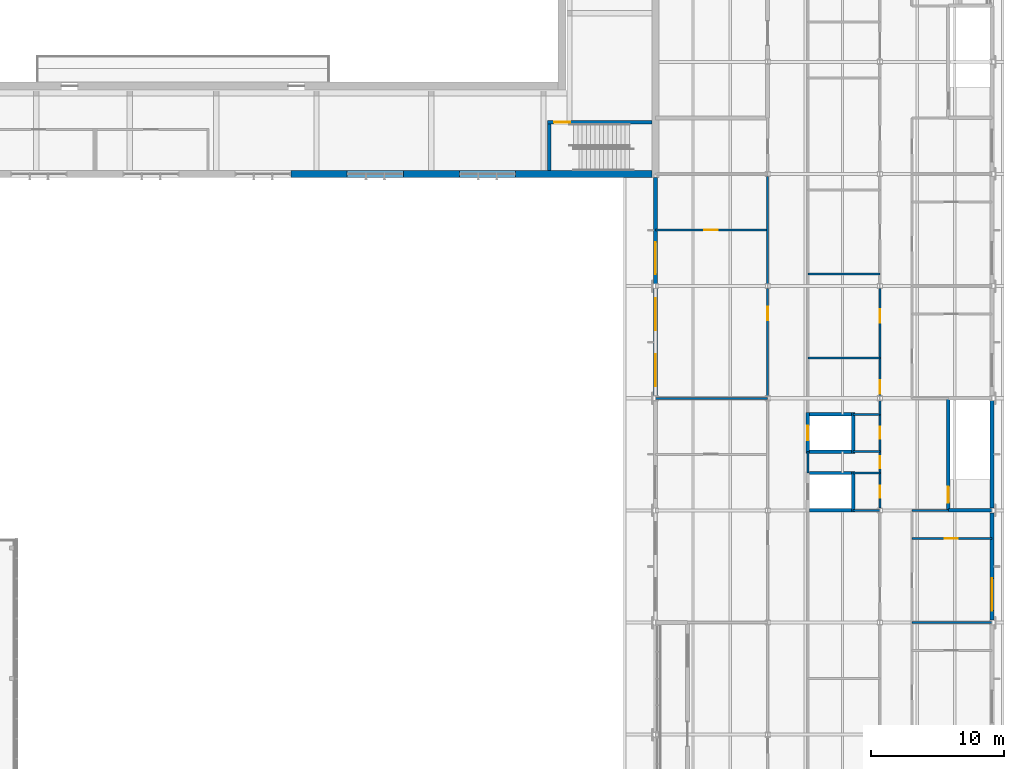
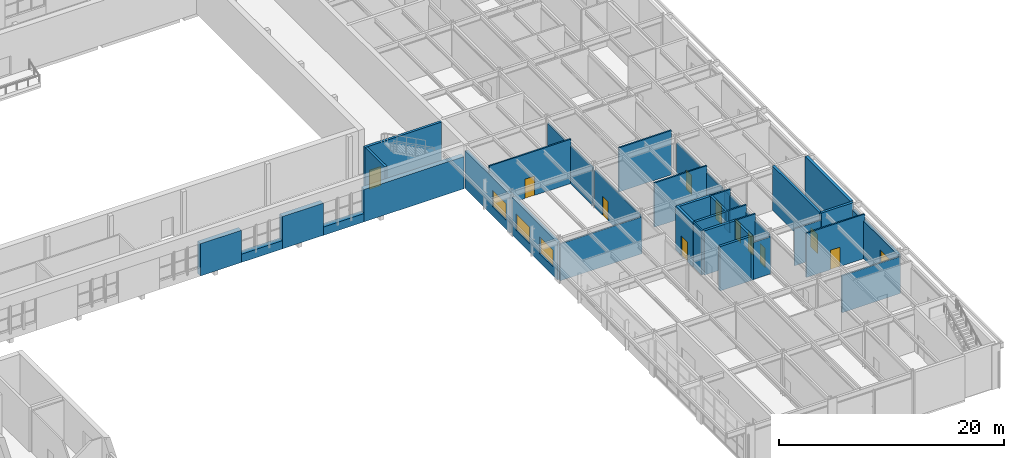
# One storey, part 73 of 116: 37 walls, 11 doors, 4 windows, 15 openings.
"""IFC4 building model written with IfcOpenShell, lengths in metres."""

from ifc_helpers import new_model, si_unit, direction, frame, frame_2d, origin, place, context, subcontext, project, spatial, rectangle, extrude, material, layer, layer_set, type_object, element, fill, save


model = new_model("IFC4")

# Units and contexts
model_context = context("Model", 3, precision=1e-05, world=origin(), true_north=direction((0.0, 1.0)))
body_context = subcontext(model_context, "Body", "Model", "MODEL_VIEW")
ifc_project = project(units=[si_unit("LENGTHUNIT", "METRE"), si_unit("AREAUNIT", "SQUARE_METRE"), si_unit("VOLUMEUNIT", "CUBIC_METRE"), si_unit("PLANEANGLEUNIT", "RADIAN"), si_unit("MASSUNIT", "GRAM", prefix="KILO")], contexts=[model_context])

# Site, building, storey
site_placement = place(None, origin())
site = spatial("IfcSite", under=ifc_project, at=site_placement, CompositionType="ELEMENT")
building_placement = place(site_placement, origin())
building = spatial("IfcBuilding", under=site, at=building_placement, Name="Ljudholm Concert House", CompositionType="ELEMENT")
storey_placement = place(building_placement, frame((0.0, 0.0, 10.199951171875)))
storey = spatial("IfcBuildingStorey", under=building, at=storey_placement, Name="L02", CompositionType="ELEMENT", Elevation=10.199951171875)

# Wall, opening, door
ifc_material_1 = material(Name="Gypsum board on steel studs", Category="steel")
ifc_layer_1 = layer(ifc_material_1, 0.14990234375)
ifc_layer_set_1 = layer_set([ifc_layer_1], Name="Gypsum board on steel studs")
wall_type_1 = type_object("IfcWallType", Name="GYPSUM PARTITION 150", PredefinedType="PARTITIONING", material=ifc_layer_set_1)
wall_1_placement = place(storey_placement, frame((104.800048828125, 37.77783203125, 0.0), z_axis=(0.0, 0.0, 1.0), x_axis=(0.0, 1.0, 0.0)))
wall_1 = element("IfcWall", 1, at=wall_1_placement, inside=storey, type_object=wall_type_1, Name="Partition", PredefinedType="PARTITIONING", context=body_context, shape_type="SweptSolid", body=[
    extrude(rectangle(XDim=8.04443359375, YDim=0.14990234375, at=frame_2d((4.022216796875, 0.0))), origin(), (0.0, 0.0, 1.0), 4.086669921875),
])
opening_1_placement = place(wall_1_placement, frame((5.672119140625, 0.0, 0.0)))
opening_1 = element("IfcOpeningElement", 2, at=opening_1_placement, cuts=wall_1, Name="Opening D-W02-013", PredefinedType="OPENING", context=body_context, shape_type="SweptSolid", body=[
    extrude(rectangle(XDim=1.0, YDim=2.10009765625, at=frame_2d((0.5, 1.050048828125))), frame((0.0, 0.0849609375, 0.0), z_axis=(0.0, -1.0, 0.0), x_axis=(1.0, 0.0, 0.0)), (0.0, 0.0, 1.0), 0.169921875),
])
ifc_material_2 = material(Name="Hollow metal door in steel frame", Category="steel")
door_type_1 = type_object("IfcDoorType", Name="SWING DOOR 1000x2100", OperationType="SINGLE_SWING_LEFT", PredefinedType="DOOR", material=ifc_material_2)
door_1_placement = place(opening_1_placement, origin())
door_1 = element("IfcDoor", 3, at=door_1_placement, inside=storey, type_object=door_type_1, Name="Door", OperationType="SINGLE_SWING_LEFT", OverallHeight=2.10009765625, OverallWidth=1.0, PredefinedType="DOOR", context=body_context, shape_type="SweptSolid", body=[
    extrude(rectangle(XDim=1.0, YDim=2.10009765625, at=frame_2d((0.5, 1.050048828125))), frame((0.0, 0.02490234375, 0.0), z_axis=(0.0, -1.0, 0.0), x_axis=(1.0, 0.0, 0.0)), (0.0, 0.0, 1.0), 0.050048828125),
])
fill(opening_1, door_1)

# Walls
wall_2_placement = place(storey_placement, frame((104.800048828125, 46.177734375, 0.0), z_axis=(0.0, 0.0, 1.0), x_axis=(0.0, 1.0, 0.0)))
element("IfcWall", 4, at=wall_2_placement, inside=storey, type_object=wall_type_1, Name="Partition", PredefinedType="PARTITIONING", context=body_context, shape_type="SweptSolid", body=[
    extrude(rectangle(XDim=8.04443359375, YDim=0.14990234375, at=frame_2d((4.022216796875, 0.0))), origin(), (0.0, 0.0, 1.0), 4.086669921875),
])
wall_3_placement = place(storey_placement, frame((107.800048828125, 32.0, 0.0), z_axis=(0.0, 0.0, 1.0), x_axis=(0.0, 1.0, 0.0)))
element("IfcWall", 5, at=wall_3_placement, inside=storey, type_object=wall_type_1, Name="Partition", PredefinedType="PARTITIONING", context=body_context, shape_type="SweptSolid", body=[
    extrude(rectangle(XDim=1.60009765625, YDim=0.14990234375, at=frame_2d((0.800048828125, 0.0))), origin(), (0.0, 0.0, 1.0), 4.800048828125),
])
wall_4_placement = place(storey_placement, frame((113.199951171875, 36.39990234375, 0.0), z_axis=(0.0, 0.0, 1.0), x_axis=(0.0, 1.0, 0.0)))
element("IfcWall", 6, at=wall_4_placement, inside=storey, type_object=wall_type_1, Name="Partition", PredefinedType="PARTITIONING", context=body_context, shape_type="SweptSolid", body=[
    extrude(rectangle(XDim=1.022216796875, YDim=0.14990234375, at=frame_2d((0.51123046875, 0.0))), origin(), (0.0, 0.0, 1.0), 4.086669921875),
])

# Wall, openings, doors
wall_5_placement = place(storey_placement, frame((113.199951171875, 37.77783203125, 0.0), z_axis=(0.0, 0.0, 1.0), x_axis=(0.0, 1.0, 0.0)))
wall_5 = element("IfcWall", 7, at=wall_5_placement, inside=storey, type_object=wall_type_1, Name="Partition", PredefinedType="PARTITIONING", context=body_context, shape_type="SweptSolid", body=[
    extrude(rectangle(XDim=8.04443359375, YDim=0.14990234375, at=frame_2d((4.022216796875, 0.0))), origin(), (0.0, 0.0, 1.0), 4.086669921875),
])
opening_2_placement = place(wall_5_placement, frame((0.172119140625, 0.0, 0.0)))
opening_2 = element("IfcOpeningElement", 8, at=opening_2_placement, cuts=wall_5, Name="Opening D-W02-025", PredefinedType="OPENING", context=body_context, shape_type="SweptSolid", body=[
    extrude(rectangle(XDim=1.0, YDim=2.10009765625, at=frame_2d((0.5, 1.050048828125))), frame((0.0, 0.0849609375, 0.0), z_axis=(0.0, -1.0, 0.0), x_axis=(1.0, 0.0, 0.0)), (0.0, 0.0, 1.0), 0.169921875),
])
opening_3_placement = place(wall_5_placement, frame((5.47216796875, 0.0, 0.0)))
opening_3 = element("IfcOpeningElement", 9, at=opening_3_placement, cuts=wall_5, Name="Opening D-W02-026", PredefinedType="OPENING", context=body_context, shape_type="SweptSolid", body=[
    extrude(rectangle(XDim=1.0, YDim=2.10009765625, at=frame_2d((0.5, 1.050048828125))), frame((0.0, 0.0849609375, 0.0), z_axis=(0.0, -1.0, 0.0), x_axis=(1.0, 0.0, 0.0)), (0.0, 0.0, 1.0), 0.169921875),
])
door_2_placement = place(opening_2_placement, origin())
door_2 = element("IfcDoor", 10, at=door_2_placement, inside=storey, type_object=door_type_1, Name="Door", OperationType="SINGLE_SWING_LEFT", OverallHeight=2.10009765625, OverallWidth=1.0, PredefinedType="DOOR", context=body_context, shape_type="SweptSolid", body=[
    extrude(rectangle(XDim=1.0, YDim=2.10009765625, at=frame_2d((0.5, 1.050048828125))), frame((0.0, 0.02490234375, 0.0), z_axis=(0.0, -1.0, 0.0), x_axis=(1.0, 0.0, 0.0)), (0.0, 0.0, 1.0), 0.050048828125),
])
fill(opening_2, door_2)
door_3_placement = place(opening_3_placement, origin())
door_3 = element("IfcDoor", 11, at=door_3_placement, inside=storey, type_object=door_type_1, Name="Door", OperationType="SINGLE_SWING_RIGHT", OverallHeight=2.10009765625, OverallWidth=1.0, PredefinedType="DOOR", context=body_context, shape_type="SweptSolid", body=[
    extrude(rectangle(XDim=1.0, YDim=2.10009765625, at=frame_2d((0.5, 1.050048828125))), frame((0.0, 0.02490234375, 0.0), z_axis=(0.0, -1.0, 0.0), x_axis=(1.0, 0.0, 0.0)), (0.0, 0.0, 1.0), 0.050048828125),
])
fill(opening_3, door_3)

wall_6_placement = place(storey_placement, frame((113.199951171875, 29.377685546875, 0.0), z_axis=(0.0, 0.0, 1.0), x_axis=(0.0, 1.0, 0.0)))
wall_6 = element("IfcWall", 12, at=wall_6_placement, inside=storey, type_object=wall_type_1, Name="Partition", PredefinedType="PARTITIONING", context=body_context, shape_type="SweptSolid", body=[
    extrude(rectangle(XDim=7.022216796875, YDim=0.14990234375, at=frame_2d((3.51123046875, 0.0))), origin(), (0.0, 0.0, 1.0), 4.086669921875),
])
opening_4_placement = place(wall_6_placement, frame((0.772216796875, 0.0, 0.0)))
opening_4 = element("IfcOpeningElement", 13, at=opening_4_placement, cuts=wall_6, Name="Opening D-W02-007", PredefinedType="OPENING", context=body_context, shape_type="SweptSolid", body=[
    extrude(rectangle(XDim=0.89990234375, YDim=2.10009765625, at=frame_2d((0.449951171875, 1.050048828125))), frame((0.0, 0.0849609375, 0.0), z_axis=(0.0, -1.0, 0.0), x_axis=(1.0, 0.0, 0.0)), (0.0, 0.0, 1.0), 0.169921875),
])
opening_5_placement = place(wall_6_placement, frame((2.97216796875, 0.0, 0.0)))
opening_5 = element("IfcOpeningElement", 14, at=opening_5_placement, cuts=wall_6, Name="Opening D-W02-008", PredefinedType="OPENING", context=body_context, shape_type="SweptSolid", body=[
    extrude(rectangle(XDim=0.89990234375, YDim=2.10009765625, at=frame_2d((0.449951171875, 1.050048828125))), frame((0.0, 0.0849609375, 0.0), z_axis=(0.0, -1.0, 0.0), x_axis=(1.0, 0.0, 0.0)), (0.0, 0.0, 1.0), 0.169921875),
])
opening_6_placement = place(wall_6_placement, frame((5.172119140625, 0.0, 0.0)))
opening_6 = element("IfcOpeningElement", 15, at=opening_6_placement, cuts=wall_6, Name="Opening D-W02-009", PredefinedType="OPENING", context=body_context, shape_type="SweptSolid", body=[
    extrude(rectangle(XDim=0.89990234375, YDim=2.10009765625, at=frame_2d((0.449951171875, 1.050048828125))), frame((0.0, 0.0849609375, 0.0), z_axis=(0.0, -1.0, 0.0), x_axis=(1.0, 0.0, 0.0)), (0.0, 0.0, 1.0), 0.169921875),
])
ifc_material_3 = material(Name="Hollow metal door in steel frame", Category="steel")
door_type_2 = type_object("IfcDoorType", Name="SWING DOOR 900x2100", OperationType="SINGLE_SWING_LEFT", PredefinedType="DOOR", material=ifc_material_3)
door_4_placement = place(opening_4_placement, origin())
door_4 = element("IfcDoor", 16, at=door_4_placement, inside=storey, type_object=door_type_2, Name="Door", OperationType="SINGLE_SWING_RIGHT", OverallHeight=2.10009765625, OverallWidth=0.89990234375, PredefinedType="DOOR", context=body_context, shape_type="SweptSolid", body=[
    extrude(rectangle(XDim=0.89990234375, YDim=2.10009765625, at=frame_2d((0.449951171875, 1.050048828125))), frame((0.0, 0.02490234375, 0.0), z_axis=(0.0, -1.0, 0.0), x_axis=(1.0, 0.0, 0.0)), (0.0, 0.0, 1.0), 0.050048828125),
])
fill(opening_4, door_4)
door_5_placement = place(opening_5_placement, origin())
door_5 = element("IfcDoor", 17, at=door_5_placement, inside=storey, type_object=door_type_2, Name="Door", OperationType="SINGLE_SWING_LEFT", OverallHeight=2.10009765625, OverallWidth=0.89990234375, PredefinedType="DOOR", context=body_context, shape_type="SweptSolid", body=[
    extrude(rectangle(XDim=0.89990234375, YDim=2.10009765625, at=frame_2d((0.449951171875, 1.050048828125))), frame((0.0, 0.02490234375, 0.0), z_axis=(0.0, -1.0, 0.0), x_axis=(1.0, 0.0, 0.0)), (0.0, 0.0, 1.0), 0.050048828125),
])
fill(opening_5, door_5)
door_6_placement = place(opening_6_placement, origin())
door_6 = element("IfcDoor", 18, at=door_6_placement, inside=storey, type_object=door_type_2, Name="Door", OperationType="SINGLE_SWING_RIGHT", OverallHeight=2.10009765625, OverallWidth=0.89990234375, PredefinedType="DOOR", context=body_context, shape_type="SweptSolid", body=[
    extrude(rectangle(XDim=0.89990234375, YDim=2.10009765625, at=frame_2d((0.449951171875, 1.050048828125))), frame((0.0, 0.02490234375, 0.0), z_axis=(0.0, -1.0, 0.0), x_axis=(1.0, 0.0, 0.0)), (0.0, 0.0, 1.0), 0.050048828125),
])
fill(opening_6, door_6)

# Wall
wall_7_placement = place(storey_placement, frame((115.60009765625, 20.800048828125, 0.0), z_axis=(0.0, 0.0, 1.0), x_axis=(1.0, 0.0, 0.0)))
element("IfcWall", 19, at=wall_7_placement, inside=storey, type_object=wall_type_1, Name="Partition", PredefinedType="PARTITIONING", context=body_context, shape_type="SweptSolid", body=[
    extrude(rectangle(XDim=5.994384765625, YDim=0.14990234375, at=frame_2d((2.9970703125, 0.0))), origin(), (0.0, 0.0, 1.0), 4.008056640625),
])

# Wall, opening, door
wall_8_placement = place(storey_placement, frame((115.60009765625, 27.10009765625, 0.0), z_axis=(0.0, 0.0, 1.0), x_axis=(1.0, 0.0, 0.0)))
wall_8 = element("IfcWall", 20, at=wall_8_placement, inside=storey, type_object=wall_type_1, Name="Partition", PredefinedType="PARTITIONING", context=body_context, shape_type="SweptSolid", body=[
    extrude(rectangle(XDim=6.0, YDim=0.14990234375, at=frame_2d((3.0, 0.0))), origin(), (0.0, 0.0, 1.0), 4.800048828125),
])
opening_7_placement = place(wall_8_placement, frame((2.449951171875, 0.0, 0.0)))
opening_7 = element("IfcOpeningElement", 21, at=opening_7_placement, cuts=wall_8, Name="Opening D-W02-037", PredefinedType="OPENING", context=body_context, shape_type="SweptSolid", body=[
    extrude(rectangle(XDim=1.0, YDim=2.10009765625, at=frame_2d((0.5, 1.050048828125))), frame((0.0, 0.0849609375, 0.0), z_axis=(0.0, -1.0, 0.0), x_axis=(1.0, 0.0, 0.0)), (0.0, 0.0, 1.0), 0.169921875),
])
door_7_placement = place(opening_7_placement, origin())
door_7 = element("IfcDoor", 22, at=door_7_placement, inside=storey, type_object=door_type_1, Name="Door", OperationType="SINGLE_SWING_RIGHT", OverallHeight=2.10009765625, OverallWidth=1.0, PredefinedType="DOOR", context=body_context, shape_type="SweptSolid", body=[
    extrude(rectangle(XDim=1.0, YDim=2.10009765625, at=frame_2d((0.5, 1.050048828125))), frame((0.0, 0.02490234375, 0.0), z_axis=(0.0, -1.0, 0.0), x_axis=(1.0, 0.0, 0.0)), (0.0, 0.0, 1.0), 0.050048828125),
])
fill(opening_7, door_7)

# Walls
wall_9_placement = place(storey_placement, frame((115.60009765625, 29.199951171875, 0.0), z_axis=(0.0, 0.0, 1.0), x_axis=(1.0, 0.0, 0.0)))
element("IfcWall", 23, at=wall_9_placement, inside=storey, type_object=wall_type_1, Name="Partition", PredefinedType="PARTITIONING", context=body_context, shape_type="SweptSolid", body=[
    extrude(rectangle(XDim=2.724853515625, YDim=0.14990234375, at=frame_2d((1.3623046875, 0.0))), origin(), (0.0, 0.0, 1.0), 4.008056640625),
])
wall_10_placement = place(storey_placement, frame((111.199951171875, 29.199951171875, 0.0), z_axis=(0.0, 0.0, 1.0), x_axis=(1.0, 0.0, 0.0)))
element("IfcWall", 24, at=wall_10_placement, inside=storey, type_object=wall_type_1, Name="Partition", PredefinedType="PARTITIONING", context=body_context, shape_type="SweptSolid", body=[
    extrude(rectangle(XDim=1.994384765625, YDim=0.14990234375, at=frame_2d((0.9970703125, 0.0))), origin(), (0.0, 0.0, 1.0), 4.008056640625),
])
for number, where, z_axis, x_axis, name in (
    (25, (111.199951171875, 32.0, 0.0), (0.0, 0.0, 1.0), (1.0, 0.0, 0.0), "Partition"),
    (26, (111.199951171875, 33.60009765625, 0.0), (0.0, 0.0, 1.0), (1.0, 0.0, 0.0), "Partition"),
    (27, (111.199951171875, 36.39990234375, 0.0), (0.0, 0.0, 1.0), (1.0, 0.0, 0.0), "Partition"),
):
    element("IfcWall", number, at=place(storey_placement, frame(where, z_axis=z_axis, x_axis=x_axis)), inside=storey, type_object=wall_type_1, Name=name, PredefinedType="PARTITIONING", context=body_context, shape_type="SweptSolid", body=[
        extrude(rectangle(XDim=2.0, YDim=0.14990234375, at=frame_2d((1.0, 0.0))), origin(), (0.0, 0.0, 1.0), 4.800048828125),
    ])
wall_11_placement = place(storey_placement, frame((96.405517578125, 37.60009765625, 0.0), z_axis=(0.0, 0.0, 1.0), x_axis=(1.0, 0.0, 0.0)))
element("IfcWall", 28, at=wall_11_placement, inside=storey, type_object=wall_type_1, Name="Partition", PredefinedType="PARTITIONING", context=body_context, shape_type="SweptSolid", body=[
    extrude(rectangle(XDim=8.388916015625, YDim=0.14990234375, at=frame_2d((4.1943359375, 0.0))), origin(), (0.0, 0.0, 1.0), 4.008056640625),
])
for number, where, z_axis, x_axis, name in (
    (29, (107.800048828125, 40.60009765625, 0.0), (0.0, 0.0, 1.0), (1.0, 0.0, 0.0), "Partition"),
    (30, (107.800048828125, 46.89990234375, 0.0), (0.0, 0.0, 1.0), (1.0, 0.0, 0.0), "Partition"),
):
    element("IfcWall", number, at=place(storey_placement, frame(where, z_axis=z_axis, x_axis=x_axis)), inside=storey, type_object=wall_type_1, Name=name, PredefinedType="PARTITIONING", context=body_context, shape_type="SweptSolid", body=[
        extrude(rectangle(XDim=5.39990234375, YDim=0.14990234375, at=frame_2d((2.699951171875, 0.0))), origin(), (0.0, 0.0, 1.0), 4.800048828125),
    ])

# Wall, opening, door
wall_12_placement = place(storey_placement, frame((96.39990234375, 50.199951171875, 0.0), z_axis=(0.0, 0.0, 1.0), x_axis=(1.0, 0.0, 0.0)))
wall_12 = element("IfcWall", 31, at=wall_12_placement, inside=storey, type_object=wall_type_1, Name="Partition", PredefinedType="PARTITIONING", context=body_context, shape_type="SweptSolid", body=[
    extrude(rectangle(XDim=8.400146484375, YDim=0.14990234375, at=frame_2d((4.2001953125, 0.0))), origin(), (0.0, 0.0, 1.0), 4.800048828125),
])
opening_8_placement = place(wall_12_placement, frame((3.64990234375, 0.0, 0.0)))
opening_8 = element("IfcOpeningElement", 32, at=opening_8_placement, cuts=wall_12, Name="Opening D-W02-014", PredefinedType="OPENING", context=body_context, shape_type="SweptSolid", body=[
    extrude(rectangle(XDim=1.0, YDim=2.10009765625, at=frame_2d((0.5, 1.050048828125))), frame((0.0, 0.0849609375, 0.0), z_axis=(0.0, -1.0, 0.0), x_axis=(1.0, 0.0, 0.0)), (0.0, 0.0, 1.0), 0.169921875),
])
door_8_placement = place(opening_8_placement, origin())
door_8 = element("IfcDoor", 33, at=door_8_placement, inside=storey, type_object=door_type_1, Name="Door", OperationType="SINGLE_SWING_LEFT", OverallHeight=2.10009765625, OverallWidth=1.0, PredefinedType="DOOR", context=body_context, shape_type="SweptSolid", body=[
    extrude(rectangle(XDim=1.0, YDim=2.10009765625, at=frame_2d((0.5, 1.050048828125))), frame((0.0, 0.02490234375, 0.0), z_axis=(0.0, -1.0, 0.0), x_axis=(1.0, 0.0, 0.0)), (0.0, 0.0, 1.0), 0.050048828125),
])
fill(opening_8, door_8)

# Wall, openings, windows
ifc_material_4 = material(Name="Precast concrete 5,000 psi", Category="concrete")
ifc_layer_2 = layer(ifc_material_4, 0.300048828125)
ifc_layer_set_2 = layer_set([ifc_layer_2], Name="Precast concrete 5,000 psi")
wall_type_2 = type_object("IfcWallType", Name="PRECAST PANEL WALL 300", PredefinedType="SOLIDWALL", material=ifc_layer_set_2)
wall_13_placement = place(storey_placement, frame((96.39990234375, 37.77783203125, 0.0), z_axis=(0.0, 0.0, 1.0), x_axis=(0.0, 1.0, 0.0)))
wall_13 = element("IfcWall", 34, at=wall_13_placement, inside=storey, type_object=wall_type_2, Name="Facade wall", PredefinedType="SOLIDWALL", context=body_context, shape_type="SweptSolid", body=[
    extrude(rectangle(XDim=8.04443359375, YDim=0.300048828125, at=frame_2d((4.022216796875, 0.0))), origin(), (0.0, 0.0, 1.0), 4.086669921875),
])
opening_9_placement = place(wall_13_placement, frame((0.72216796875, 0.0, 0.949951171875)))
opening_9 = element("IfcOpeningElement", 35, at=opening_9_placement, cuts=wall_13, Name="Opening X-W02-005", PredefinedType="OPENING", context=body_context, shape_type="SweptSolid", body=[
    extrude(rectangle(XDim=2.39990234375, YDim=1.800048828125, at=frame_2d((1.199951171875, 0.89990234375))), frame((0.0, 0.159912109375, 0.0), z_axis=(0.0, -1.0, 0.0), x_axis=(1.0, 0.0, 0.0)), (0.0, 0.0, 1.0), 0.320068359375),
])
opening_10_placement = place(wall_13_placement, frame((4.922119140625, 0.0, 0.949951171875)))
opening_10 = element("IfcOpeningElement", 36, at=opening_10_placement, cuts=wall_13, Name="Opening X-W02-006", PredefinedType="OPENING", context=body_context, shape_type="SweptSolid", body=[
    extrude(rectangle(XDim=2.39990234375, YDim=1.800048828125, at=frame_2d((1.199951171875, 0.89990234375))), frame((0.0, 0.159912109375, 0.0), z_axis=(0.0, -1.0, 0.0), x_axis=(1.0, 0.0, 0.0)), (0.0, 0.0, 1.0), 0.320068359375),
])
ifc_material_5 = material(Name="Aluminium frame, impact glazing", Category="aluminium")
window_type = type_object("IfcWindowType", Name="CASEMENT WINDOW 2400x1800", PartitioningType="DOUBLE_PANEL_VERTICAL", PredefinedType="WINDOW", material=ifc_material_5)
window_1_placement = place(opening_9_placement, origin())
window_1 = element("IfcWindow", 37, at=window_1_placement, inside=storey, type_object=window_type, Name="Window", OverallHeight=1.800048828125, OverallWidth=2.39990234375, PartitioningType="DOUBLE_PANEL_VERTICAL", PredefinedType="WINDOW", context=body_context, shape_type="SweptSolid", body=[
    extrude(rectangle(XDim=2.39990234375, YDim=1.800048828125, at=frame_2d((1.199951171875, 0.89990234375))), frame((0.0, 0.030029296875, 0.0), z_axis=(0.0, -1.0, 0.0), x_axis=(1.0, 0.0, 0.0)), (0.0, 0.0, 1.0), 0.06005859375),
])
fill(opening_9, window_1)
window_2_placement = place(opening_10_placement, origin())
window_2 = element("IfcWindow", 38, at=window_2_placement, inside=storey, type_object=window_type, Name="Window", OverallHeight=1.800048828125, OverallWidth=2.39990234375, PartitioningType="DOUBLE_PANEL_VERTICAL", PredefinedType="WINDOW", context=body_context, shape_type="SweptSolid", body=[
    extrude(rectangle(XDim=2.39990234375, YDim=1.800048828125, at=frame_2d((1.199951171875, 0.89990234375))), frame((0.0, 0.030029296875, 0.0), z_axis=(0.0, -1.0, 0.0), x_axis=(1.0, 0.0, 0.0)), (0.0, 0.0, 1.0), 0.06005859375),
])
fill(opening_10, window_2)

# Wall, opening, window
wall_14_placement = place(storey_placement, frame((96.39990234375, 46.177734375, 0.0), z_axis=(0.0, 0.0, 1.0), x_axis=(0.0, 1.0, 0.0)))
wall_14 = element("IfcWall", 39, at=wall_14_placement, inside=storey, type_object=wall_type_2, Name="Facade wall", PredefinedType="SOLIDWALL", context=body_context, shape_type="SweptSolid", body=[
    extrude(rectangle(XDim=7.97216796875, YDim=0.300048828125, at=frame_2d((3.986083984375, 0.0))), origin(), (0.0, 0.0, 1.0), 4.086669921875),
])
opening_11_placement = place(wall_14_placement, frame((0.72216796875, 0.0, 0.949951171875)))
opening_11 = element("IfcOpeningElement", 40, at=opening_11_placement, cuts=wall_14, Name="Opening X-W02-007", PredefinedType="OPENING", context=body_context, shape_type="SweptSolid", body=[
    extrude(rectangle(XDim=2.39990234375, YDim=1.800048828125, at=frame_2d((1.199951171875, 0.89990234375))), frame((0.0, 0.159912109375, 0.0), z_axis=(0.0, -1.0, 0.0), x_axis=(1.0, 0.0, 0.0)), (0.0, 0.0, 1.0), 0.320068359375),
])
window_3_placement = place(opening_11_placement, origin())
window_3 = element("IfcWindow", 41, at=window_3_placement, inside=storey, type_object=window_type, Name="Window", OverallHeight=1.800048828125, OverallWidth=2.39990234375, PartitioningType="DOUBLE_PANEL_VERTICAL", PredefinedType="WINDOW", context=body_context, shape_type="SweptSolid", body=[
    extrude(rectangle(XDim=2.39990234375, YDim=1.800048828125, at=frame_2d((1.199951171875, 0.89990234375))), frame((0.0, 0.030029296875, 0.0), z_axis=(0.0, -1.0, 0.0), x_axis=(1.0, 0.0, 0.0)), (0.0, 0.0, 1.0), 0.06005859375),
])
fill(opening_11, window_3)

wall_15_placement = place(storey_placement, frame((121.60009765625, 20.977783203125, 0.0), z_axis=(0.0, 0.0, 1.0), x_axis=(0.0, 1.0, 0.0)))
wall_15 = element("IfcWall", 42, at=wall_15_placement, inside=storey, type_object=wall_type_2, Name="Facade wall", PredefinedType="SOLIDWALL", context=body_context, shape_type="SweptSolid", body=[
    extrude(rectangle(XDim=8.04443359375, YDim=0.300048828125, at=frame_2d((4.022216796875, 0.0))), origin(), (0.0, 0.0, 1.0), 4.086669921875),
])
opening_12_placement = place(wall_15_placement, frame((0.72216796875, 0.0, 0.949951171875)))
opening_12 = element("IfcOpeningElement", 43, at=opening_12_placement, cuts=wall_15, Name="Opening X-W02-009", PredefinedType="OPENING", context=body_context, shape_type="SweptSolid", body=[
    extrude(rectangle(XDim=2.39990234375, YDim=1.800048828125, at=frame_2d((1.199951171875, 0.89990234375))), frame((0.0, 0.159912109375, 0.0), z_axis=(0.0, -1.0, 0.0), x_axis=(1.0, 0.0, 0.0)), (0.0, 0.0, 1.0), 0.320068359375),
])
window_4_placement = place(opening_12_placement, origin())
window_4 = element("IfcWindow", 44, at=window_4_placement, inside=storey, type_object=window_type, Name="Window", OverallHeight=1.800048828125, OverallWidth=2.39990234375, PartitioningType="DOUBLE_PANEL_VERTICAL", PredefinedType="WINDOW", context=body_context, shape_type="SweptSolid", body=[
    extrude(rectangle(XDim=2.39990234375, YDim=1.800048828125, at=frame_2d((1.199951171875, 0.89990234375))), frame((0.0, 0.030029296875, 0.0), z_axis=(0.0, -1.0, 0.0), x_axis=(1.0, 0.0, 0.0)), (0.0, 0.0, 1.0), 0.06005859375),
])
fill(opening_12, window_4)

# Wall, opening, door
ifc_material_6 = material(Name="Concrete 6,500 psi", Category="concrete")
ifc_layer_3 = layer(ifc_material_6, 0.25)
ifc_layer_set_3 = layer_set([ifc_layer_3], Name="Concrete 6,500 psi")
wall_type_3 = type_object("IfcWallType", Name="RC CORE WALL 250", PredefinedType="SHEAR", material=ifc_layer_set_3)
wall_16_placement = place(storey_placement, frame((118.324951171875, 29.199951171875, 0.0), z_axis=(0.0, 0.0, 1.0), x_axis=(0.0, 1.0, 0.0)))
wall_16 = element("IfcWall", 45, at=wall_16_placement, inside=storey, type_object=wall_type_3, Name="Stair core wall", PredefinedType="SHEAR", context=body_context, shape_type="SweptSolid", body=[
    extrude(rectangle(XDim=8.400146484375, YDim=0.25, at=frame_2d((4.2001953125, 0.0))), origin(), (0.0, 0.0, 1.0), 4.800048828125),
])
opening_13_placement = place(wall_16_placement, frame((0.574951171875, 0.0, 0.0)))
opening_13 = element("IfcOpeningElement", 46, at=opening_13_placement, cuts=wall_16, Name="Opening D-W02-004", PredefinedType="OPENING", context=body_context, shape_type="SweptSolid", body=[
    extrude(rectangle(XDim=1.199951171875, YDim=2.10009765625, at=frame_2d((0.60009765625, 1.050048828125))), frame((0.0, 0.135009765625, 0.0), z_axis=(0.0, -1.0, 0.0), x_axis=(1.0, 0.0, 0.0)), (0.0, 0.0, 1.0), 0.27001953125),
])
ifc_material_7 = material(Name="Hollow metal door in steel frame", Category="steel")
door_type_3 = type_object("IfcDoorType", Name="SWING DOOR 1200x2100", OperationType="SINGLE_SWING_LEFT", PredefinedType="DOOR", material=ifc_material_7)
door_9_placement = place(opening_13_placement, origin())
door_9 = element("IfcDoor", 47, at=door_9_placement, inside=storey, type_object=door_type_3, Name="Door", OperationType="SINGLE_SWING_LEFT", OverallHeight=2.10009765625, OverallWidth=1.199951171875, PredefinedType="DOOR", context=body_context, shape_type="SweptSolid", body=[
    extrude(rectangle(XDim=1.199951171875, YDim=2.10009765625, at=frame_2d((0.60009765625, 1.050048828125))), frame((0.0, 0.02490234375, 0.0), z_axis=(0.0, -1.0, 0.0), x_axis=(1.0, 0.0, 0.0)), (0.0, 0.0, 1.0), 0.050048828125),
])
fill(opening_13, door_9)

# Walls
wall_17_placement = place(storey_placement, frame((118.324951171875, 29.199951171875, 0.0), z_axis=(0.0, 0.0, 1.0), x_axis=(1.0, 0.0, 0.0)))
element("IfcWall", 48, at=wall_17_placement, inside=storey, type_object=wall_type_3, Name="Stair core wall", PredefinedType="SHEAR", context=body_context, shape_type="SweptSolid", body=[
    extrude(rectangle(XDim=3.26953125, YDim=0.25, at=frame_2d((1.634765625, 0.0))), origin(), (0.0, 0.0, 1.0), 4.800048828125),
])
ifc_material_8 = material(Name="Concrete 6,500 psi", Category="concrete")
ifc_layer_4 = layer(ifc_material_8, 0.300048828125)
ifc_layer_set_4 = layer_set([ifc_layer_4], Name="Concrete 6,500 psi")
wall_type_4 = type_object("IfcWallType", Name="RC CORE WALL 300", PredefinedType="SHEAR", material=ifc_layer_set_4)
wall_18_placement = place(storey_placement, frame((121.60009765625, 29.377685546875, 0.0), z_axis=(0.0, 0.0, 1.0), x_axis=(0.0, 1.0, 0.0)))
element("IfcWall", 49, at=wall_18_placement, inside=storey, type_object=wall_type_4, Name="Stair core wall", PredefinedType="SHEAR", context=body_context, shape_type="SweptSolid", body=[
    extrude(rectangle(XDim=8.04443359375, YDim=0.300048828125, at=frame_2d((4.022216796875, 0.0))), origin(), (0.0, 0.0, 1.0), 4.800048828125),
])

# Wall, opening, door
ifc_material_9 = material(Name="Concrete 6,500 psi", Category="concrete")
ifc_layer_5 = layer(ifc_material_9, 0.25)
ifc_layer_set_5 = layer_set([ifc_layer_5], Name="Concrete 6,500 psi")
wall_type_5 = type_object("IfcWallType", Name="RC WALL 250", PredefinedType="SOLIDWALL", material=ifc_layer_set_5)
wall_19_placement = place(storey_placement, frame((88.300048828125, 58.27490234375, 0.0), z_axis=(0.0, 0.0, 1.0), x_axis=(1.0, 0.0, 0.0)))
wall_19 = element("IfcWall", 50, at=wall_19_placement, inside=storey, type_object=wall_type_5, Name="Stair enclosure wall EH3", PredefinedType="SOLIDWALL", context=body_context, shape_type="SweptSolid", body=[
    extrude(rectangle(XDim=7.849853515625, YDim=0.25, at=frame_2d((3.9248046875, 0.0))), origin(), (0.0, 0.0, 1.0), 4.800048828125),
])
opening_14_placement = place(wall_19_placement, frame((0.5, 0.0, 0.0)))
opening_14 = element("IfcOpeningElement", 51, at=opening_14_placement, cuts=wall_19, Name="Opening D-H02-009", PredefinedType="OPENING", context=body_context, shape_type="SweptSolid", body=[
    extrude(rectangle(XDim=1.199951171875, YDim=2.10009765625, at=frame_2d((0.60009765625, 1.050048828125))), frame((0.0, 0.135009765625, 0.0), z_axis=(0.0, -1.0, 0.0), x_axis=(1.0, 0.0, 0.0)), (0.0, 0.0, 1.0), 0.27001953125),
])
door_10_placement = place(opening_14_placement, frame((1.199951171875, 0.0, 0.0), z_axis=(0.0, 0.0, 1.0), x_axis=(-1.0, 0.0, 0.0)))
door_10 = element("IfcDoor", 52, at=door_10_placement, inside=storey, type_object=door_type_3, Name="Exit stair EH3 door", OperationType="SINGLE_SWING_RIGHT", OverallHeight=2.10009765625, OverallWidth=1.199951171875, PredefinedType="DOOR", context=body_context, shape_type="SweptSolid", body=[
    extrude(rectangle(XDim=1.199951171875, YDim=2.10009765625, at=frame_2d((0.60009765625, 1.050048828125))), frame((0.0, 0.02490234375, 0.0), z_axis=(0.0, -1.0, 0.0), x_axis=(1.0, 0.0, 0.0)), (0.0, 0.0, 1.0), 0.050048828125),
])
fill(opening_14, door_10)

# Walls
wall_20_placement = place(storey_placement, frame((88.425048828125, 54.64990234375, 0.0), z_axis=(0.0, 0.0, 1.0), x_axis=(0.0, 1.0, 0.0)))
element("IfcWall", 53, at=wall_20_placement, inside=storey, type_object=wall_type_5, Name="Stair enclosure wall EH3", PredefinedType="SOLIDWALL", context=body_context, shape_type="SweptSolid", body=[
    extrude(rectangle(XDim=3.5, YDim=0.25, at=frame_2d((1.75, 0.0))), origin(), (0.0, 0.0, 1.0), 4.800048828125),
])
wall_21_placement = place(storey_placement, frame((111.199951171875, 29.074951171875, 0.0), z_axis=(0.0, 0.0, 1.0), x_axis=(0.0, 1.0, 0.0)))
element("IfcWall", 54, at=wall_21_placement, inside=storey, type_object=wall_type_5, Name="Lift shaft wall", PredefinedType="SOLIDWALL", context=body_context, shape_type="SweptSolid", body=[
    extrude(rectangle(XDim=3.050048828125, YDim=0.25, at=frame_2d((1.52490234375, 0.0))), origin(), (0.0, 0.0, 1.0), 4.800048828125),
])
for number, where, z_axis, x_axis, name in (
    (55, (107.925048828125, 29.199951171875, 0.0), (0.0, 0.0, 1.0), (1.0, 0.0, 0.0), "Lift shaft wall"),
    (56, (107.925048828125, 32.0, 0.0), (0.0, 0.0, 1.0), (1.0, 0.0, 0.0), "Lift shaft wall"),
):
    element("IfcWall", number, at=place(storey_placement, frame(where, z_axis=z_axis, x_axis=x_axis)), inside=storey, type_object=wall_type_5, Name=name, PredefinedType="SOLIDWALL", context=body_context, shape_type="SweptSolid", body=[
        extrude(rectangle(XDim=3.14990234375, YDim=0.25, at=frame_2d((1.574951171875, 0.0))), origin(), (0.0, 0.0, 1.0), 4.800048828125),
    ])

# Wall, opening, door
wall_22_placement = place(storey_placement, frame((107.800048828125, 33.47509765625, 0.0), z_axis=(0.0, 0.0, 1.0), x_axis=(0.0, 1.0, 0.0)))
wall_22 = element("IfcWall", 57, at=wall_22_placement, inside=storey, type_object=wall_type_5, Name="Lift shaft wall", PredefinedType="SOLIDWALL", context=body_context, shape_type="SweptSolid", body=[
    extrude(rectangle(XDim=3.0498046875, YDim=0.25, at=frame_2d((1.52490234375, 0.0))), origin(), (0.0, 0.0, 1.0), 4.800048828125),
])
opening_15_placement = place(wall_22_placement, frame((0.97509765625, 0.0, 0.0)))
opening_15 = element("IfcOpeningElement", 58, at=opening_15_placement, cuts=wall_22, Name="Opening LD-W02-002", PredefinedType="OPENING", context=body_context, shape_type="SweptSolid", body=[
    extrude(rectangle(XDim=1.10009765625, YDim=2.10009765625, at=frame_2d((0.550048828125, 1.050048828125))), frame((0.0, 0.135009765625, 0.0), z_axis=(0.0, -1.0, 0.0), x_axis=(1.0, 0.0, 0.0)), (0.0, 0.0, 1.0), 0.27001953125),
])
ifc_material_10 = material(Name="Stainless steel sliding landing door, fire-rated", Category="steel")
door_type_4 = type_object("IfcDoorType", Name="LIFT DOOR 1100x2100", OperationType="SLIDING_TO_LEFT", PredefinedType="DOOR", material=ifc_material_10)
door_11_placement = place(opening_15_placement, origin())
door_11 = element("IfcDoor", 59, at=door_11_placement, inside=storey, type_object=door_type_4, Name="Lift landing door", OperationType="SLIDING_TO_LEFT", OverallHeight=2.10009765625, OverallWidth=1.10009765625, PredefinedType="DOOR", context=body_context, shape_type="SweptSolid", body=[
    extrude(rectangle(XDim=1.10009765625, YDim=2.10009765625, at=frame_2d((0.550048828125, 1.050048828125))), frame((0.0, 0.02490234375, 0.0), z_axis=(0.0, -1.0, 0.0), x_axis=(1.0, 0.0, 0.0)), (0.0, 0.0, 1.0), 0.050048828125),
])
fill(opening_15, door_11)

# Walls
wall_23_placement = place(storey_placement, frame((111.199951171875, 33.47509765625, 0.0), z_axis=(0.0, 0.0, 1.0), x_axis=(0.0, 1.0, 0.0)))
element("IfcWall", 60, at=wall_23_placement, inside=storey, type_object=wall_type_5, Name="Lift shaft wall", PredefinedType="SOLIDWALL", context=body_context, shape_type="SweptSolid", body=[
    extrude(rectangle(XDim=3.0498046875, YDim=0.25, at=frame_2d((1.52490234375, 0.0))), origin(), (0.0, 0.0, 1.0), 4.800048828125),
])
for number, where, z_axis, x_axis, name in (
    (61, (107.925048828125, 33.60009765625, 0.0), (0.0, 0.0, 1.0), (1.0, 0.0, 0.0), "Lift shaft wall"),
    (62, (107.925048828125, 36.39990234375, 0.0), (0.0, 0.0, 1.0), (1.0, 0.0, 0.0), "Lift shaft wall"),
):
    element("IfcWall", number, at=place(storey_placement, frame(where, z_axis=z_axis, x_axis=x_axis)), inside=storey, type_object=wall_type_5, Name=name, PredefinedType="SOLIDWALL", context=body_context, shape_type="SweptSolid", body=[
        extrude(rectangle(XDim=3.14990234375, YDim=0.25, at=frame_2d((1.574951171875, 0.0))), origin(), (0.0, 0.0, 1.0), 4.800048828125),
    ])
ifc_material_11 = material(Name="Concrete 6,500 psi", Category="concrete")
ifc_layer_6 = layer(ifc_material_11, 0.5)
ifc_layer_set_6 = layer_set([ifc_layer_6], Name="Concrete 6,500 psi")
wall_type_6 = type_object("IfcWallType", Name="RC WALL 500", PredefinedType="SOLIDWALL", material=ifc_layer_set_6)
for number, where, z_axis, x_axis, name in (
    (63, (69.10009765625, 54.39990234375, 0.0), (0.0, 0.0, 1.0), (1.0, 0.0, 0.0), "Outer wall S"),
    (64, (77.5, 54.39990234375, 0.0), (0.0, 0.0, 1.0), (1.0, 0.0, 0.0), "Outer wall S"),
):
    element("IfcWall", number, at=place(storey_placement, frame(where, z_axis=z_axis, x_axis=x_axis)), inside=storey, type_object=wall_type_6, Name=name, PredefinedType="SOLIDWALL", context=body_context, shape_type="SweptSolid", body=[
        extrude(rectangle(XDim=4.199951171875, YDim=0.5, at=frame_2d((2.10009765625, 0.0))), origin(), (0.0, 0.0, 1.0), 3.5),
    ])
wall_24_placement = place(storey_placement, frame((85.89990234375, 54.39990234375, 0.0), z_axis=(0.0, 0.0, 1.0), x_axis=(1.0, 0.0, 0.0)))
element("IfcWall", 65, at=wall_24_placement, inside=storey, type_object=wall_type_6, Name="Outer wall S", PredefinedType="SOLIDWALL", context=body_context, shape_type="SweptSolid", body=[
    extrude(rectangle(XDim=10.25, YDim=0.5, at=frame_2d((5.125, 0.0))), origin(), (0.0, 0.0, 1.0), 3.5),
])
for number, where, z_axis, x_axis, name in (
    (66, (73.300048828125, 54.39990234375, 0.0), (0.0, 0.0, 1.0), (1.0, 0.0, 0.0), "Outer wall S"),
    (67, (81.699951171875, 54.39990234375, 0.0), (0.0, 0.0, 1.0), (1.0, 0.0, 0.0), "Outer wall S"),
):
    element("IfcWall", number, at=place(storey_placement, frame(where, z_axis=z_axis, x_axis=x_axis)), inside=storey, type_object=wall_type_6, Name=name, PredefinedType="SOLIDWALL", context=body_context, shape_type="SweptSolid", body=[
        extrude(rectangle(XDim=4.199951171875, YDim=0.5, at=frame_2d((2.10009765625, 0.0))), origin(), (0.0, 0.0, 1.0), 0.900146484375),
    ])

save(model, "model.ifc")
